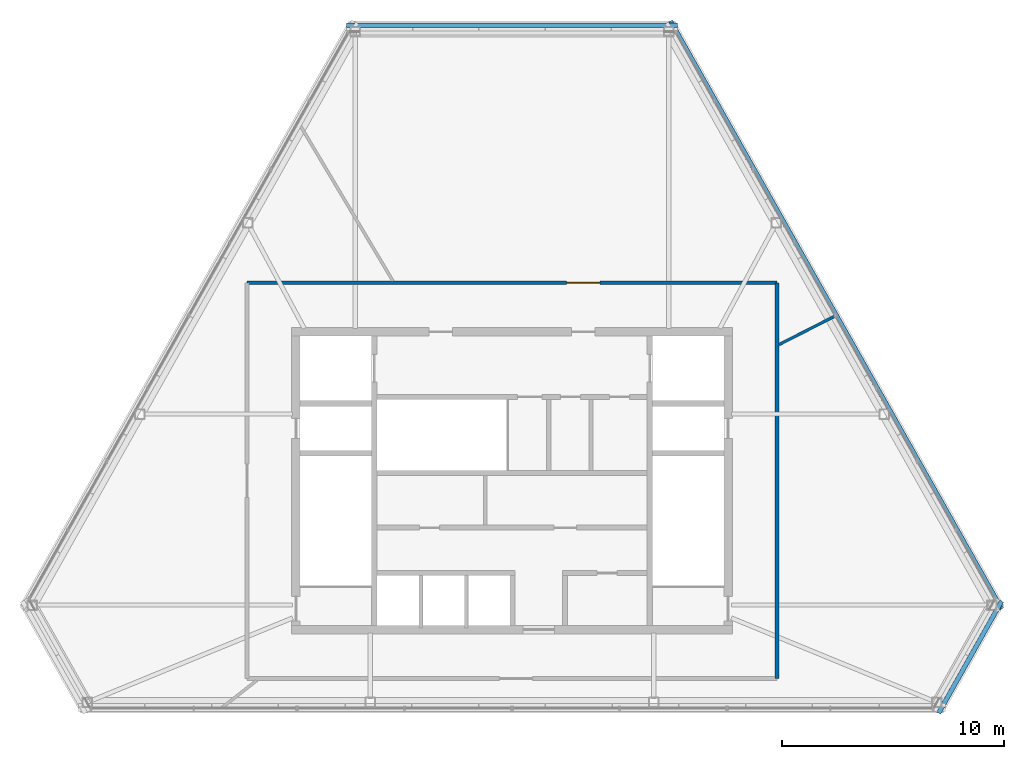
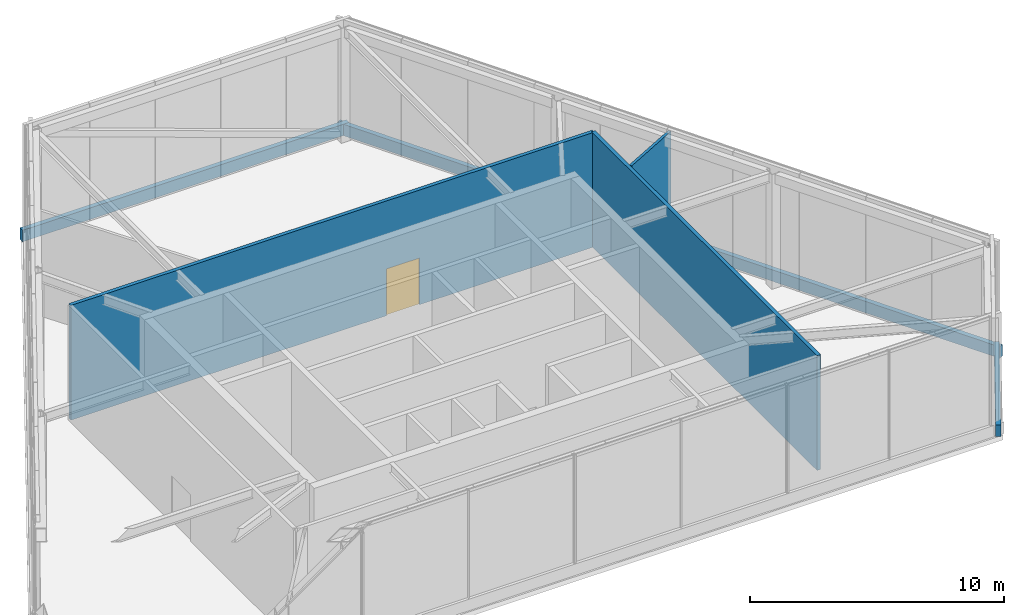
# One storey, part 10 of 11: 6 walls, 1 door, 1 opening.
"""IFC4 building model written with IfcOpenShell, lengths in metres."""

from ifc_helpers import new_model, si_unit, direction, frame, frame_2d, origin, place, context, subcontext, project, spatial, rectangle, extrude, material, layer, layer_set, type_object, element, fill, save


model = new_model("IFC4")

# Units and contexts
model_context = context("Model", 3, precision=1e-05, world=origin(), true_north=direction((0.0, 1.0)))
body_context = subcontext(model_context, "Body", "Model", "MODEL_VIEW")
ifc_project = project(units=[si_unit("LENGTHUNIT", "METRE"), si_unit("AREAUNIT", "SQUARE_METRE"), si_unit("VOLUMEUNIT", "CUBIC_METRE"), si_unit("PLANEANGLEUNIT", "RADIAN"), si_unit("MASSUNIT", "GRAM", prefix="KILO")], contexts=[model_context])

# Site, building, storey
site_placement = place(None, origin())
site = spatial("IfcSite", under=ifc_project, at=site_placement, CompositionType="ELEMENT")
building_placement = place(site_placement, origin())
building = spatial("IfcBuilding", under=site, at=building_placement, Name="Kavelnor Concourse Tower", CompositionType="ELEMENT")
storey_placement = place(building_placement, frame((0.0, 0.0, 309.949951171875)))
storey = spatial("IfcBuildingStorey", under=building, at=storey_placement, Name="L78", CompositionType="ELEMENT", Elevation=309.949951171875)

# Wall, opening, door
ifc_material_1 = material(Name="Gypsum plasterboard on light-gauge steel studs", Category="steel")
ifc_layer_1 = layer(ifc_material_1, 0.1650390625, Name="Gypsum plasterboard on light-gauge steel studs")
ifc_layer_set_1 = layer_set([ifc_layer_1], Name="Gypsum plasterboard on light-gauge steel studs")
wall_type_1 = type_object("IfcWallType", Name="WL-INT-FIRE-165", PredefinedType="PARTITIONING", material=ifc_layer_set_1)
wall_1_placement = place(storey_placement, frame((26.090087890625, 24.989990234375, 0.0), z_axis=(0.0, 0.0, 1.0), x_axis=(1.0, 0.0, 0.0)))
wall_1 = element("IfcWall", 1, at=wall_1_placement, inside=storey, type_object=wall_type_1, Name="L78 Corridor Wall WL-L78-CR-N", PredefinedType="PARTITIONING", context=body_context, shape_type="SweptSolid", body=[
    extrude(rectangle(XDim=23.81982421875, YDim=0.1650390625, at=frame_2d((11.909912109375, 0.0))), origin(), (0.0, 0.0, 1.0), 5.52001953125),
])
opening_placement = place(wall_1_placement, frame((14.362060546875, 0.0, 0.0)))
opening = element("IfcOpeningElement", 2, at=opening_placement, cuts=wall_1, Name="Opening PD-150", PredefinedType="OPENING", context=body_context, shape_type="SweptSolid", body=[
    extrude(rectangle(XDim=1.5, YDim=2.25, at=frame_2d((0.75, 1.125))), frame((0.0, 0.092529296875, 0.0), z_axis=(0.0, -1.0, 0.0), x_axis=(1.0, 0.0, 0.0)), (0.0, 0.0, 1.0), 0.18505859375),
])
ifc_material_2 = material(Name="Steel Grade 350", Category="steel")
door_type = type_object("IfcDoorType", Name="DR-PLANT-1500", OperationType="NOTDEFINED", PredefinedType="DOOR", material=ifc_material_2)
door_placement = place(opening_placement, origin())
door = element("IfcDoor", 3, at=door_placement, inside=storey, type_object=door_type, Name="L78 Standby Generator Plant Room 01 Door", OperationType="DOUBLE_DOOR_SINGLE_SWING", OverallHeight=2.25, OverallWidth=1.5, PredefinedType="DOOR", context=body_context, shape_type="SweptSolid", body=[
    extrude(rectangle(XDim=1.5, YDim=2.25, at=frame_2d((0.75, 1.125))), frame((0.0, 0.02490234375, 0.0), z_axis=(0.0, -1.0, 0.0), x_axis=(1.0, 0.0, 0.0)), (0.0, 0.0, 1.0), 0.050048828125),
])
fill(opening, door)

# Walls
wall_2_placement = place(storey_placement, frame((49.909912109375, 7.2099609375, 0.0), z_axis=(0.0, 0.0, 1.0), x_axis=(0.0, 1.0, 0.0)))
element("IfcWall", 4, at=wall_2_placement, inside=storey, type_object=wall_type_1, Name="L78 Corridor Wall WL-L78-CR-E", PredefinedType="PARTITIONING", context=body_context, shape_type="SweptSolid", body=[
    extrude(rectangle(XDim=17.780029296875, YDim=0.1650390625, at=frame_2d((8.89013671875, 0.0))), origin(), (0.0, 0.0, 1.0), 5.52001953125),
])
ifc_layer_2 = layer(ifc_material_1, 0.125, Name="Gypsum plasterboard on light-gauge steel studs")
ifc_layer_set_2 = layer_set([ifc_layer_2], Name="Gypsum plasterboard on light-gauge steel studs")
wall_type_2 = type_object("IfcWallType", Name="WL-INT-SUITE-125", PredefinedType="PARTITIONING", material=ifc_layer_set_2)
wall_3_placement = place(storey_placement, frame((50.00048828125, 22.216796875, 0.0), z_axis=(0.0, 0.0, 1.0), x_axis=(0.890906829521, 0.454186108454, 0.0)))
element("IfcWall", 5, at=wall_3_placement, inside=storey, type_object=wall_type_2, Name="L78 Radial Suite Partition 01", PredefinedType="PARTITIONING", context=body_context, shape_type="SweptSolid", body=[
    extrude(rectangle(XDim=2.837646484375, YDim=0.125, at=frame_2d((1.4189453125, 0.0))), origin(), (0.0, 0.0, 1.0), 5.52001953125),
])
ifc_material_3 = material(Name="Buff ironspot clay face brick masonry", Category="masonry")
ifc_layer_3 = layer(ifc_material_3, 0.2099609375, Name="Buff ironspot clay face brick masonry")
ifc_layer_set_3 = layer_set([ifc_layer_3], Name="Buff ironspot clay face brick masonry")
wall_type_3 = type_object("IfcWallType", Name="WL-PARAPET-CROWN-210", PredefinedType="PARAPET", material=ifc_layer_set_3)
wall_4_placement = place(storey_placement, frame((45.4296875, 36.576171875, 0.0), z_axis=(0.0, 0.0, 1.0), x_axis=(-1.0, 0.0, 0.0)))
element("IfcWall", 6, at=wall_4_placement, inside=storey, type_object=wall_type_3, Name="L78 Crown Perimeter Sill Upstand E0", PredefinedType="PARAPET", context=body_context, shape_type="SweptSolid", body=[
    extrude(rectangle(XDim=14.859375, YDim=0.2099609375, at=frame_2d((7.4296875, 0.0))), origin(), (0.0, 0.0, 1.0), 0.550048828125),
])
wall_5_placement = place(storey_placement, frame((57.17431640625, 5.65625, 0.0), z_axis=(0.0, 0.0, 1.0), x_axis=(0.490715240018, 0.871320006206, 0.0)))
element("IfcWall", 7, at=wall_5_placement, inside=storey, type_object=wall_type_3, Name="L78 Crown Perimeter Sill Upstand E4", PredefinedType="PARAPET", context=body_context, shape_type="SweptSolid", body=[
    extrude(rectangle(XDim=5.769287109375, YDim=0.2099609375, at=frame_2d((2.884765625, 0.0))), origin(), (0.0, 0.0, 1.0), 0.550048828125),
])
wall_6_placement = place(storey_placement, frame((60.00537109375, 10.33203125, 0.0), z_axis=(0.0, 0.0, 1.0), x_axis=(-0.490730545971, 0.87131138593, 0.0)))
element("IfcWall", 8, at=wall_6_placement, inside=storey, type_object=wall_type_3, Name="L78 Crown Perimeter Sill Upstand E5", PredefinedType="PARAPET", context=body_context, shape_type="SweptSolid", body=[
    extrude(rectangle(XDim=30.325439453125, YDim=0.2099609375, at=frame_2d((15.16259765625, 0.0))), origin(), (0.0, 0.0, 1.0), 0.550048828125),
])

save(model, "model.ifc")
